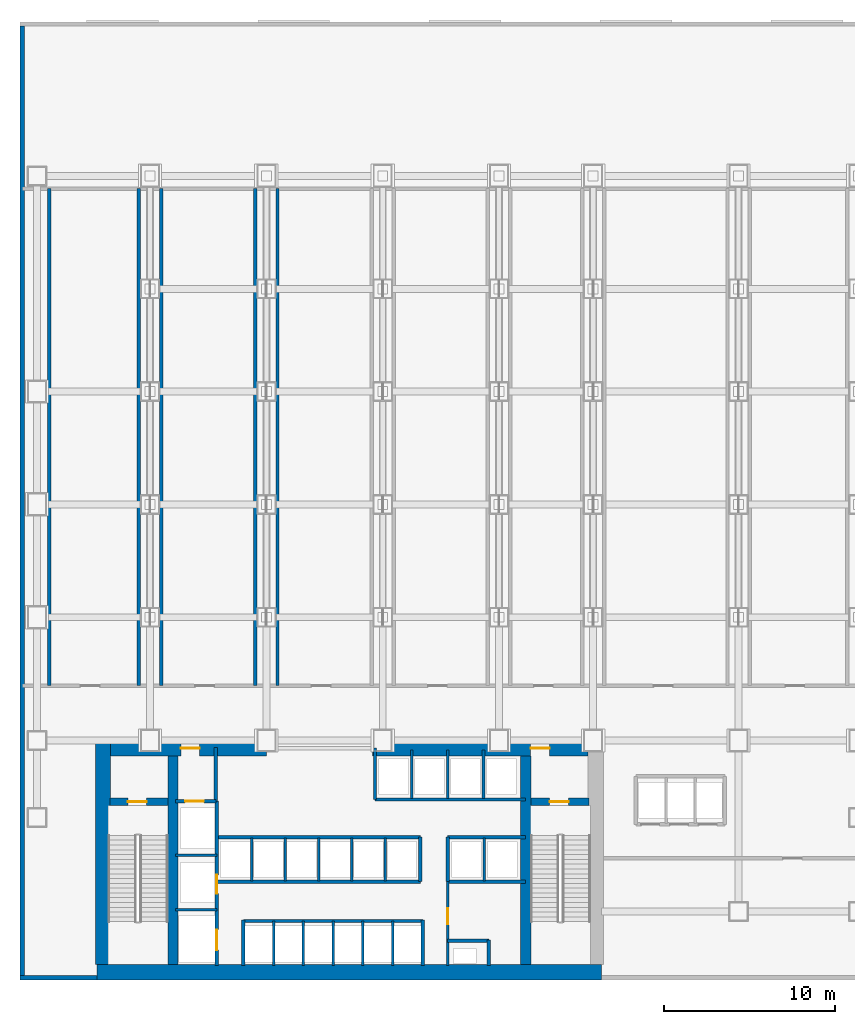
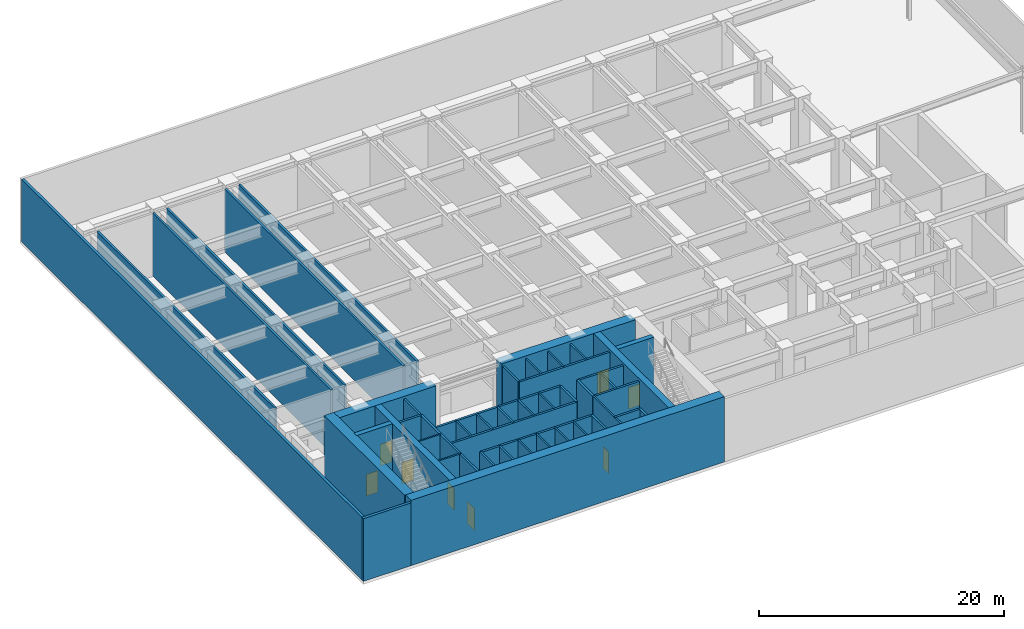
# One storey, part 9 of 15: 48 walls, 8 doors, 8 openings.
"""IFC4 building model written with IfcOpenShell, lengths in metres."""

from ifc_helpers import new_model, si_unit, derived_unit, direction, frame, frame_2d, origin, place, context, subcontext, project, spatial, rectangle, extrude, source, transform, mapped, material, layer, layer_set, type_object, element, fill, save


model = new_model("IFC4")

# Units and contexts
model_context = context("Model", 3, precision=1e-05, world=origin(), true_north=direction((0.0, 1.0)))
body_context = subcontext(model_context, "Body", "Model", "MODEL_VIEW")
ifc_project = project(units=[si_unit("LENGTHUNIT", "METRE"), si_unit("AREAUNIT", "SQUARE_METRE"), si_unit("VOLUMEUNIT", "CUBIC_METRE"), si_unit("PLANEANGLEUNIT", "RADIAN"), si_unit("MASSUNIT", "GRAM", prefix="KILO"), derived_unit("THERMALTRANSMITTANCEUNIT", [(si_unit("POWERUNIT", "WATT"), 1), (si_unit("LENGTHUNIT", "METRE"), -2), (si_unit("THERMODYNAMICTEMPERATUREUNIT", "KELVIN"), -1)])], contexts=[model_context])

# Site, building, storey
site_placement = place(None, origin())
site = spatial("IfcSite", under=ifc_project, at=site_placement, CompositionType="ELEMENT")
building_placement = place(site_placement, origin())
building = spatial("IfcBuilding", under=site, at=building_placement, Name="Skarnbrae Concourse Arena and Tower", CompositionType="ELEMENT")
storey_placement = place(building_placement, frame((0.0, 0.0, 26.0)))
storey = spatial("IfcBuildingStorey", under=building, at=storey_placement, Name="L05", CompositionType="ELEMENT", Elevation=26.0)

# Walls
ifc_material_1 = material(Name="Concrete 70 MPa (C70/85)", Category="concrete")
ifc_layer_1 = layer(ifc_material_1, 0.89990234375)
ifc_layer_set_1 = layer_set([ifc_layer_1], Name="Concrete 70 MPa (C70/85)")
wall_type_1 = type_object("IfcWallType", Name="WALL-CORE-900-C70", PredefinedType="SHEAR", material=ifc_layer_set_1)
shared_shape_1 = source(origin(), body_context, "Body", "SweptSolid", [
    extrude(rectangle(XDim=29.5, YDim=0.89990234375, at=frame_2d((14.75, 0.0))), origin(), (0.0, 0.0, 1.0), 6.5),
])
wall_1_placement = place(storey_placement, frame((4.5, 0.449951171875, 0.0), z_axis=(0.0, 0.0, 1.0), x_axis=(1.0, 0.0, 0.0)))
element("IfcWall", 1, at=wall_1_placement, inside=storey, type_object=wall_type_1, Name="L05 Rear core shear wall CW-S", PredefinedType="SHEAR", context=body_context, shape_type="MappedRepresentation", body=[
    mapped(shared_shape_1, transform((0.0, 0.0, 0.0))),
])
shared_shape_2 = source(origin(), body_context, "Body", "SweptSolid", [
    extrude(rectangle(XDim=13.10009765625, YDim=0.89990234375, at=frame_2d((6.550048828125, 0.0))), origin(), (0.0, 0.0, 1.0), 6.5),
])
wall_2_placement = place(storey_placement, frame((4.85009765625, 0.89990234375, 0.0), z_axis=(0.0, 0.0, 1.0), x_axis=(0.0, 1.0, 0.0)))
element("IfcWall", 2, at=wall_2_placement, inside=storey, type_object=wall_type_1, Name="L05 Rear core shear wall CW-W", PredefinedType="SHEAR", context=body_context, shape_type="MappedRepresentation", body=[
    mapped(shared_shape_2, transform((0.0, 0.0, 0.0))),
])

# Wall, opening, door
shared_shape_3 = source(origin(), body_context, "Body", "SweptSolid", [
    extrude(rectangle(XDim=9.099853515625, YDim=0.89990234375, at=frame_2d((4.5498046875, 0.0))), origin(), (0.0, 0.0, 1.0), 6.5),
])
wall_3_placement = place(storey_placement, frame((5.300048828125, 13.550048828125, 0.0), z_axis=(0.0, 0.0, 1.0), x_axis=(1.0, 0.0, 0.0)))
wall_3 = element("IfcWall", 3, at=wall_3_placement, inside=storey, type_object=wall_type_1, Name="L05 Rear core shear wall CW-NW", PredefinedType="SHEAR", context=body_context, shape_type="MappedRepresentation", body=[
    mapped(shared_shape_3, transform((0.0, 0.0, 0.0))),
])
opening_1_placement = place(wall_3_placement, frame((4.10009765625, 0.0, 0.0)))
opening_1 = element("IfcOpeningElement", 4, at=opening_1_placement, cuts=wall_3, Name="Opening DT-03", PredefinedType="OPENING", context=body_context, shape_type="SweptSolid", body=[
    extrude(rectangle(XDim=1.10009765625, YDim=2.14990234375, at=frame_2d((0.550048828125, 1.074951171875))), frame((0.0, 0.4599609375, 0.0), z_axis=(0.0, -1.0, 0.0), x_axis=(1.0, 0.0, 0.0)), (0.0, 0.0, 1.0), 0.919921875),
])
ifc_material_2 = material(Name="Steel CSA G40.21 350W", Category="steel")
door_type_1 = type_object("IfcDoorType", Name="DOOR-FIRE-1100-90M", OperationType="NOTDEFINED", PredefinedType="DOOR", material=ifc_material_2)
shared_shape_4 = source(origin(), body_context, "Body", "SweptSolid", [
    extrude(rectangle(XDim=1.10009765625, YDim=2.14990234375, at=frame_2d((0.550048828125, 1.074951171875))), frame((0.0, 0.02490234375, 0.0), z_axis=(0.0, -1.0, 0.0), x_axis=(1.0, 0.0, 0.0)), (0.0, 0.0, 1.0), 0.050048828125),
])
door_1_placement = place(opening_1_placement, origin())
door_1 = element("IfcDoor", 5, at=door_1_placement, inside=storey, type_object=door_type_1, Name="D-0308 Firefighting Lobby Exit Door", OperationType="SINGLE_SWING_RIGHT", OverallHeight=2.14990234375, OverallWidth=1.10009765625, PredefinedType="DOOR", context=body_context, shape_type="MappedRepresentation", body=[
    mapped(shared_shape_4, transform((0.0, 0.0, 0.0))),
])
fill(opening_1, door_1)

shared_shape_5 = source(origin(), body_context, "Body", "SweptSolid", [
    extrude(rectangle(XDim=12.599853515625, YDim=0.89990234375, at=frame_2d((6.2998046875, 0.0))), origin(), (0.0, 0.0, 1.0), 6.5),
])
wall_4_placement = place(storey_placement, frame((20.60009765625, 13.550048828125, 0.0), z_axis=(0.0, 0.0, 1.0), x_axis=(1.0, 0.0, 0.0)))
wall_4 = element("IfcWall", 6, at=wall_4_placement, inside=storey, type_object=wall_type_1, Name="L05 Rear core shear wall CW-NE", PredefinedType="SHEAR", context=body_context, shape_type="MappedRepresentation", body=[
    mapped(shared_shape_5, transform((0.0, 0.0, 0.0))),
])
opening_2_placement = place(wall_4_placement, frame((9.25, 0.0, 0.0)))
opening_2 = element("IfcOpeningElement", 7, at=opening_2_placement, cuts=wall_4, Name="Opening DT-03", PredefinedType="OPENING", context=body_context, shape_type="SweptSolid", body=[
    extrude(rectangle(XDim=1.10009765625, YDim=2.14990234375, at=frame_2d((0.550048828125, 1.074951171875))), frame((0.0, 0.4599609375, 0.0), z_axis=(0.0, -1.0, 0.0), x_axis=(1.0, 0.0, 0.0)), (0.0, 0.0, 1.0), 0.919921875),
])
door_2_placement = place(opening_2_placement, origin())
door_2 = element("IfcDoor", 8, at=door_2_placement, inside=storey, type_object=door_type_1, Name="D-0309 Stair ST-2 Vestibule Door", OperationType="SINGLE_SWING_LEFT", OverallHeight=2.14990234375, OverallWidth=1.10009765625, PredefinedType="DOOR", context=body_context, shape_type="MappedRepresentation", body=[
    mapped(shared_shape_4, transform((0.0, 0.0, 0.0))),
])
fill(opening_2, door_2)

# Walls
ifc_layer_2 = layer(ifc_material_1, 0.60009765625)
ifc_layer_set_2 = layer_set([ifc_layer_2], Name="Concrete 70 MPa (C70/85)")
wall_type_2 = type_object("IfcWallType", Name="WALL-CORE-600-C70", PredefinedType="SHEAR", material=ifc_layer_set_2)
shared_shape_6 = source(origin(), body_context, "Body", "SweptSolid", [
    extrude(rectangle(XDim=12.2001953125, YDim=0.60009765625, at=frame_2d((6.10009765625, 0.0))), origin(), (0.0, 0.0, 1.0), 6.5),
])
for number, where, z_axis, x_axis, name in (
    (9, (8.93994140625, 0.89990234375, 0.0), (0.0, 0.0, 1.0), (0.0, 1.0, 0.0), "L05 Rear core shear wall CW-WEB-W"),
    (10, (29.56005859375, 0.89990234375, 0.0), (0.0, 0.0, 1.0), (0.0, 1.0, 0.0), "L05 Rear core shear wall CW-WEB-E"),
):
    element("IfcWall", number, at=place(storey_placement, frame(where, z_axis=z_axis, x_axis=x_axis)), inside=storey, type_object=wall_type_2, Name=name, PredefinedType="SHEAR", context=body_context, shape_type="MappedRepresentation", body=[
        mapped(shared_shape_6, transform((0.0, 0.0, 0.0))),
    ])

# Wall, opening, door
ifc_material_3 = material(Name="Concrete 50 MPa (C50/60)", Category="concrete")
ifc_layer_3 = layer(ifc_material_3, 0.449951171875)
ifc_layer_set_3 = layer_set([ifc_layer_3], Name="Concrete 50 MPa (C50/60)")
wall_type_3 = type_object("IfcWallType", Name="WALL-CORE-450-C50", PredefinedType="SHEAR", material=ifc_layer_set_3)
shared_shape_7 = source(origin(), body_context, "Body", "SweptSolid", [
    extrude(rectangle(XDim=3.389892578125, YDim=0.449951171875, at=frame_2d((1.69482421875, 0.0))), origin(), (0.0, 0.0, 1.0), 6.5),
])
wall_5_placement = place(storey_placement, frame((5.25, 10.419921875, 0.0), z_axis=(0.0, 0.0, 1.0), x_axis=(1.0, 0.0, 0.0)))
wall_5 = element("IfcWall", 11, at=wall_5_placement, inside=storey, type_object=wall_type_3, Name="L05 Rear core shear wall CW-ST1-N", PredefinedType="SHEAR", context=body_context, shape_type="MappedRepresentation", body=[
    mapped(shared_shape_7, transform((0.0, 0.0, 0.0))),
])
opening_3_placement = place(wall_5_placement, frame((1.050048828125, 0.0, 0.0)))
opening_3 = element("IfcOpeningElement", 12, at=opening_3_placement, cuts=wall_5, Name="Opening DT-03", PredefinedType="OPENING", context=body_context, shape_type="SweptSolid", body=[
    extrude(rectangle(XDim=1.10009765625, YDim=2.14990234375, at=frame_2d((0.550048828125, 1.074951171875))), frame((0.0, 0.23486328125, 0.0), z_axis=(0.0, -1.0, 0.0), x_axis=(1.0, 0.0, 0.0)), (0.0, 0.0, 1.0), 0.469970703125),
])
door_3_placement = place(opening_3_placement, frame((1.10009765625, 0.0, 0.0), z_axis=(0.0, 0.0, 1.0), x_axis=(-1.0, 0.0, 0.0)))
door_3 = element("IfcDoor", 13, at=door_3_placement, inside=storey, type_object=door_type_1, Name="D-0306 Stair ST-1 Door", OperationType="SINGLE_SWING_LEFT", OverallHeight=2.14990234375, OverallWidth=1.10009765625, PredefinedType="DOOR", context=body_context, shape_type="MappedRepresentation", body=[
    mapped(shared_shape_4, transform((0.0, 0.0, 0.0))),
])
fill(opening_3, door_3)

wall_6_placement = place(storey_placement, frame((29.860107421875, 10.419921875, 0.0), z_axis=(0.0, 0.0, 1.0), x_axis=(1.0, 0.0, 0.0)))
wall_6 = element("IfcWall", 14, at=wall_6_placement, inside=storey, type_object=wall_type_3, Name="L05 Rear core shear wall CW-ST2-N", PredefinedType="SHEAR", context=body_context, shape_type="MappedRepresentation", body=[
    mapped(shared_shape_7, transform((0.0, 0.0, 0.0))),
])
opening_4_placement = place(wall_6_placement, frame((1.10009765625, 0.0, 0.0)))
opening_4 = element("IfcOpeningElement", 15, at=opening_4_placement, cuts=wall_6, Name="Opening DT-03", PredefinedType="OPENING", context=body_context, shape_type="SweptSolid", body=[
    extrude(rectangle(XDim=1.10009765625, YDim=2.14990234375, at=frame_2d((0.550048828125, 1.074951171875))), frame((0.0, 0.23486328125, 0.0), z_axis=(0.0, -1.0, 0.0), x_axis=(1.0, 0.0, 0.0)), (0.0, 0.0, 1.0), 0.469970703125),
])
door_4_placement = place(opening_4_placement, frame((1.10009765625, 0.0, 0.0), z_axis=(0.0, 0.0, 1.0), x_axis=(-1.0, 0.0, 0.0)))
door_4 = element("IfcDoor", 16, at=door_4_placement, inside=storey, type_object=door_type_1, Name="D-0307 Stair ST-2 Door", OperationType="SINGLE_SWING_RIGHT", OverallHeight=2.14990234375, OverallWidth=1.10009765625, PredefinedType="DOOR", context=body_context, shape_type="MappedRepresentation", body=[
    mapped(shared_shape_4, transform((0.0, 0.0, 0.0))),
])
fill(opening_4, door_4)

# Walls
ifc_material_4 = material(Name="Precast concrete 40 MPa (C40/50)", Category="concrete")
ifc_layer_4 = layer(ifc_material_4, 0.25)
ifc_layer_set_4 = layer_set([ifc_layer_4], Name="Precast concrete 40 MPa (C40/50)")
wall_type_4 = type_object("IfcWallType", Name="WALL-EXT-SPANDREL-250", PredefinedType="STANDARD", material=ifc_layer_set_4)
shared_shape_8 = source(origin(), body_context, "Body", "SweptSolid", [
    extrude(rectangle(XDim=4.5, YDim=0.25, at=frame_2d((2.25, 0.0))), origin(), (0.0, 0.0, 1.0), 6.25),
])
wall_7_placement = place(storey_placement, frame((0.0, 0.125, 0.0), z_axis=(0.0, 0.0, 1.0), x_axis=(1.0, 0.0, 0.0)))
element("IfcWall", 17, at=wall_7_placement, inside=storey, type_object=wall_type_4, Name="L05 Podium exterior precast wall SW", PredefinedType="STANDARD", context=body_context, shape_type="MappedRepresentation", body=[
    mapped(shared_shape_8, transform((0.0, 0.0, 0.0))),
])
shared_shape_9 = source(origin(), body_context, "Body", "SweptSolid", [
    extrude(rectangle(XDim=55.5, YDim=0.25, at=frame_2d((27.75, 0.0))), origin(), (0.0, 0.0, 1.0), 6.25),
])
wall_8_placement = place(storey_placement, frame((0.125, 55.75, 0.0), z_axis=(0.0, 0.0, 1.0), x_axis=(0.0, -1.0, 0.0)))
element("IfcWall", 18, at=wall_8_placement, inside=storey, type_object=wall_type_4, Name="L05 Podium exterior precast wall W", PredefinedType="STANDARD", context=body_context, shape_type="MappedRepresentation", body=[
    mapped(shared_shape_9, transform((0.0, 0.0, 0.0))),
])
ifc_material_5 = material(Name="Gypsum board on cold-formed steel studs", Category="steel")
ifc_layer_5 = layer(ifc_material_5, 0.199951171875)
ifc_layer_set_5 = layer_set([ifc_layer_5], Name="Gypsum board on cold-formed steel studs")
wall_type_5 = type_object("IfcWallType", Name="WALL-PART-200-2HR", PredefinedType="PARTITIONING", material=ifc_layer_set_5)
shared_shape_10 = source(origin(), body_context, "Body", "SweptSolid", [
    extrude(rectangle(XDim=3.18017578125, YDim=0.199951171875, at=frame_2d((1.590087890625, 0.0))), origin(), (0.0, 0.0, 1.0), 6.25),
])
wall_9_placement = place(storey_placement, frame((11.449951171875, 10.419921875, 0.0), z_axis=(0.0, 0.0, 1.0), x_axis=(0.0, 1.0, 0.0)))
element("IfcWall", 19, at=wall_9_placement, inside=storey, type_object=wall_type_5, Name="L05 Interior partition wall W-L05-FFL-E", PredefinedType="PARTITIONING", context=body_context, shape_type="MappedRepresentation", body=[
    mapped(shared_shape_10, transform((0.0, 0.0, 0.0))),
])

# Wall, opening, door
shared_shape_11 = source(origin(), body_context, "Body", "SweptSolid", [
    extrude(rectangle(XDim=2.349853515625, YDim=0.199951171875, at=frame_2d((1.1748046875, 0.0))), origin(), (0.0, 0.0, 1.0), 6.25),
])
wall_10_placement = place(storey_placement, frame((9.10009765625, 10.449951171875, 0.0), z_axis=(0.0, 0.0, 1.0), x_axis=(1.0, 0.0, 0.0)))
wall_10 = element("IfcWall", 20, at=wall_10_placement, inside=storey, type_object=wall_type_5, Name="L05 Interior partition wall W-L05-FL1-N", PredefinedType="PARTITIONING", context=body_context, shape_type="MappedRepresentation", body=[
    mapped(shared_shape_11, transform((0.0, 0.0, 0.0))),
])
opening_5_placement = place(wall_10_placement, frame((0.550048828125, 0.0, 0.0)))
opening_5 = element("IfcOpeningElement", 21, at=opening_5_placement, cuts=wall_10, Name="Opening LD-01", PredefinedType="OPENING", context=body_context, shape_type="SweptSolid", body=[
    extrude(rectangle(XDim=1.10009765625, YDim=2.14990234375, at=frame_2d((0.550048828125, 1.074951171875))), frame((0.0, 0.10986328125, 0.0), z_axis=(0.0, -1.0, 0.0), x_axis=(1.0, 0.0, 0.0)), (0.0, 0.0, 1.0), 0.219970703125),
])
door_type_2 = type_object("IfcDoorType", Name="DOOR-LIFT-SLIDE-1100", OperationType="SLIDING_TO_LEFT", PredefinedType="DOOR", material=ifc_material_2)
door_5_placement = place(opening_5_placement, origin())
door_5 = element("IfcDoor", 22, at=door_5_placement, inside=storey, type_object=door_type_2, Name="D-0310 Firefighting Lift Landing Door FL-01", OperationType="SLIDING_TO_LEFT", OverallHeight=2.14990234375, OverallWidth=1.10009765625, PredefinedType="DOOR", context=body_context, shape_type="MappedRepresentation", body=[
    mapped(shared_shape_4, transform((0.0, 0.0, 0.0))),
])
fill(opening_5, door_5)

# Wall, openings, doors
shared_shape_12 = source(origin(), body_context, "Body", "SweptSolid", [
    extrude(rectangle(XDim=9.599853515625, YDim=0.199951171875, at=frame_2d((4.7998046875, 0.0))), origin(), (0.0, 0.0, 1.0), 6.25),
])
wall_11_placement = place(storey_placement, frame((11.5, 0.85009765625, 0.0), z_axis=(0.0, 0.0, 1.0), x_axis=(0.0, 1.0, 0.0)))
wall_11 = element("IfcWall", 23, at=wall_11_placement, inside=storey, type_object=wall_type_5, Name="L05 Interior partition wall W-L05-FL-E", PredefinedType="PARTITIONING", context=body_context, shape_type="MappedRepresentation", body=[
    mapped(shared_shape_12, transform((0.0, 0.0, 0.0))),
])
opening_6_placement = place(wall_11_placement, frame((4.199951171875, 0.0, 0.0)))
opening_6 = element("IfcOpeningElement", 24, at=opening_6_placement, cuts=wall_11, Name="Opening LD-01", PredefinedType="OPENING", context=body_context, shape_type="SweptSolid", body=[
    extrude(rectangle(XDim=1.10009765625, YDim=2.14990234375, at=frame_2d((0.550048828125, 1.074951171875))), frame((0.0, 0.10986328125, 0.0), z_axis=(0.0, -1.0, 0.0), x_axis=(1.0, 0.0, 0.0)), (0.0, 0.0, 1.0), 0.219970703125),
])
opening_7_placement = place(wall_11_placement, frame((0.89990234375, 0.0, 0.0)))
opening_7 = element("IfcOpeningElement", 25, at=opening_7_placement, cuts=wall_11, Name="Opening LD-02", PredefinedType="OPENING", context=body_context, shape_type="SweptSolid", body=[
    extrude(rectangle(XDim=1.199951171875, YDim=2.14990234375, at=frame_2d((0.60009765625, 1.074951171875))), frame((0.0, 0.10986328125, 0.0), z_axis=(0.0, -1.0, 0.0), x_axis=(1.0, 0.0, 0.0)), (0.0, 0.0, 1.0), 0.219970703125),
])
door_6_placement = place(opening_6_placement, frame((1.10009765625, 0.0, 0.0), z_axis=(0.0, 0.0, 1.0), x_axis=(-1.0, 0.0, 0.0)))
door_6 = element("IfcDoor", 26, at=door_6_placement, inside=storey, type_object=door_type_2, Name="D-0311 Firefighting Lift Landing Door FL-02", OperationType="SLIDING_TO_LEFT", OverallHeight=2.14990234375, OverallWidth=1.10009765625, PredefinedType="DOOR", context=body_context, shape_type="MappedRepresentation", body=[
    mapped(shared_shape_4, transform((0.0, 0.0, 0.0))),
])
fill(opening_6, door_6)
door_type_3 = type_object("IfcDoorType", Name="DOOR-LIFT-SLIDE-1200", OperationType="SLIDING_TO_LEFT", PredefinedType="DOOR", material=ifc_material_2)
shared_shape_13 = source(origin(), body_context, "Body", "SweptSolid", [
    extrude(rectangle(XDim=1.199951171875, YDim=2.14990234375, at=frame_2d((0.60009765625, 1.074951171875))), frame((0.0, 0.02490234375, 0.0), z_axis=(0.0, -1.0, 0.0), x_axis=(1.0, 0.0, 0.0)), (0.0, 0.0, 1.0), 0.050048828125),
])
door_7_placement = place(opening_7_placement, frame((1.199951171875, 0.0, 0.0), z_axis=(0.0, 0.0, 1.0), x_axis=(-1.0, 0.0, 0.0)))
door_7 = element("IfcDoor", 27, at=door_7_placement, inside=storey, type_object=door_type_3, Name="D-0312 Service Lift Landing Door SV-01", OperationType="SLIDING_TO_LEFT", OverallHeight=2.14990234375, OverallWidth=1.199951171875, PredefinedType="DOOR", context=body_context, shape_type="MappedRepresentation", body=[
    mapped(shared_shape_13, transform((0.0, 0.0, 0.0))),
])
fill(opening_7, door_7)

# Walls
ifc_layer_6 = layer(ifc_material_5, 0.14990234375)
ifc_layer_set_6 = layer_set([ifc_layer_6], Name="Gypsum board on cold-formed steel studs")
wall_type_6 = type_object("IfcWallType", Name="WALL-PART-150", PredefinedType="PARTITIONING", material=ifc_layer_set_6)
shared_shape_14 = source(origin(), body_context, "Body", "SweptSolid", [
    extrude(rectangle(XDim=2.39990234375, YDim=0.14990234375, at=frame_2d((1.199951171875, 0.0))), origin(), (0.0, 0.0, 1.0), 6.25),
])
for number, where, z_axis, x_axis, name in (
    (28, (9.10009765625, 4.10009765625, 0.0), (0.0, 0.0, 1.0), (1.0, 0.0, 0.0), "L05 Interior partition wall W-L05-FL-D1"),
    (29, (9.10009765625, 7.300048828125, 0.0), (0.0, 0.0, 1.0), (1.0, 0.0, 0.0), "L05 Interior partition wall W-L05-FL-D2"),
):
    element("IfcWall", number, at=place(storey_placement, frame(where, z_axis=z_axis, x_axis=x_axis)), inside=storey, type_object=wall_type_6, Name=name, PredefinedType="PARTITIONING", context=body_context, shape_type="MappedRepresentation", body=[
        mapped(shared_shape_14, transform((0.0, 0.0, 0.0))),
    ])
shared_shape_15 = source(origin(), body_context, "Body", "SweptSolid", [
    extrude(rectangle(XDim=2.64990234375, YDim=0.199951171875, at=frame_2d((1.324951171875, 0.0))), origin(), (0.0, 0.0, 1.0), 6.25),
])
for number, where, z_axis, x_axis, name in (
    (30, (13.050048828125, 0.85009765625, 0.0), (0.0, 0.0, 1.0), (0.0, 1.0, 0.0), "L05 Interior partition wall W-L05-B1-W"),
    (31, (23.550048828125, 0.85009765625, 0.0), (0.0, 0.0, 1.0), (0.0, 1.0, 0.0), "L05 Interior partition wall W-L05-B1-E"),
):
    element("IfcWall", number, at=place(storey_placement, frame(where, z_axis=z_axis, x_axis=x_axis)), inside=storey, type_object=wall_type_5, Name=name, PredefinedType="PARTITIONING", context=body_context, shape_type="MappedRepresentation", body=[
        mapped(shared_shape_15, transform((0.0, 0.0, 0.0))),
    ])
shared_shape_16 = source(origin(), body_context, "Body", "SweptSolid", [
    extrude(rectangle(XDim=10.5, YDim=0.199951171875, at=frame_2d((5.25, 0.0))), origin(), (0.0, 0.0, 1.0), 6.25),
])
wall_12_placement = place(storey_placement, frame((13.050048828125, 3.449951171875, 0.0), z_axis=(0.0, 0.0, 1.0), x_axis=(1.0, 0.0, 0.0)))
element("IfcWall", 32, at=wall_12_placement, inside=storey, type_object=wall_type_5, Name="L05 Interior partition wall W-L05-B1-N", PredefinedType="PARTITIONING", context=body_context, shape_type="MappedRepresentation", body=[
    mapped(shared_shape_16, transform((0.0, 0.0, 0.0))),
])
shared_shape_17 = source(origin(), body_context, "Body", "SweptSolid", [
    extrude(rectangle(XDim=2.599853515625, YDim=0.14990234375, at=frame_2d((1.2998046875, 0.0))), origin(), (0.0, 0.0, 1.0), 6.25),
])
for number, where, z_axis, x_axis, name in (
    (33, (14.820068359375, 0.85009765625, 0.0), (0.0, 0.0, 1.0), (0.0, 1.0, 0.0), "L05 Interior partition wall W-L05-B1-P1"),
    (34, (16.56005859375, 0.85009765625, 0.0), (0.0, 0.0, 1.0), (0.0, 1.0, 0.0), "L05 Interior partition wall W-L05-B1-P2"),
    (35, (18.300048828125, 0.85009765625, 0.0), (0.0, 0.0, 1.0), (0.0, 1.0, 0.0), "L05 Interior partition wall W-L05-B1-P3"),
    (36, (20.0400390625, 0.85009765625, 0.0), (0.0, 0.0, 1.0), (0.0, 1.0, 0.0), "L05 Interior partition wall W-L05-B1-P4"),
    (37, (21.780029296875, 0.85009765625, 0.0), (0.0, 0.0, 1.0), (0.0, 1.0, 0.0), "L05 Interior partition wall W-L05-B1-P5"),
):
    element("IfcWall", number, at=place(storey_placement, frame(where, z_axis=z_axis, x_axis=x_axis)), inside=storey, type_object=wall_type_6, Name=name, PredefinedType="PARTITIONING", context=body_context, shape_type="MappedRepresentation", body=[
        mapped(shared_shape_17, transform((0.0, 0.0, 0.0))),
    ])
shared_shape_18 = source(origin(), body_context, "Body", "SweptSolid", [
    extrude(rectangle(XDim=11.849853515625, YDim=0.199951171875, at=frame_2d((5.9248046875, 0.0))), origin(), (0.0, 0.0, 1.0), 6.25),
])
for number, where, z_axis, x_axis, name in (
    (38, (11.550048828125, 5.75, 0.0), (0.0, 0.0, 1.0), (1.0, 0.0, 0.0), "L05 Interior partition wall W-L05-B2-S"),
    (39, (11.550048828125, 8.35009765625, 0.0), (0.0, 0.0, 1.0), (1.0, 0.0, 0.0), "L05 Interior partition wall W-L05-B2-N"),
):
    element("IfcWall", number, at=place(storey_placement, frame(where, z_axis=z_axis, x_axis=x_axis)), inside=storey, type_object=wall_type_5, Name=name, PredefinedType="PARTITIONING", context=body_context, shape_type="MappedRepresentation", body=[
        mapped(shared_shape_18, transform((0.0, 0.0, 0.0))),
    ])
shared_shape_19 = source(origin(), body_context, "Body", "SweptSolid", [
    extrude(rectangle(XDim=2.60009765625, YDim=0.199951171875, at=frame_2d((1.300048828125, 0.0))), origin(), (0.0, 0.0, 1.0), 6.25),
])
for number, where, z_axis, x_axis, name in (
    (40, (23.39990234375, 5.75, 0.0), (0.0, 0.0, 1.0), (0.0, 1.0, 0.0), "L05 Interior partition wall W-L05-B2-E"),
    (41, (25.0, 5.75, 0.0), (0.0, 0.0, 1.0), (0.0, 1.0, 0.0), "L05 Interior partition wall W-L05-B3S-W"),
):
    element("IfcWall", number, at=place(storey_placement, frame(where, z_axis=z_axis, x_axis=x_axis)), inside=storey, type_object=wall_type_5, Name=name, PredefinedType="PARTITIONING", context=body_context, shape_type="MappedRepresentation", body=[
        mapped(shared_shape_19, transform((0.0, 0.0, 0.0))),
    ])
shared_shape_20 = source(origin(), body_context, "Body", "SweptSolid", [
    extrude(rectangle(XDim=2.5, YDim=0.14990234375, at=frame_2d((1.25, 0.0))), origin(), (0.0, 0.0, 1.0), 6.25),
])
for number, where, z_axis, x_axis, name in (
    (42, (13.550048828125, 5.800048828125, 0.0), (0.0, 0.0, 1.0), (0.0, 1.0, 0.0), "L05 Interior partition wall W-L05-B2-P1"),
    (43, (15.5, 5.800048828125, 0.0), (0.0, 0.0, 1.0), (0.0, 1.0, 0.0), "L05 Interior partition wall W-L05-B2-P2"),
    (44, (17.449951171875, 5.800048828125, 0.0), (0.0, 0.0, 1.0), (0.0, 1.0, 0.0), "L05 Interior partition wall W-L05-B2-P3"),
    (45, (19.39990234375, 5.800048828125, 0.0), (0.0, 0.0, 1.0), (0.0, 1.0, 0.0), "L05 Interior partition wall W-L05-B2-P4"),
    (46, (21.35009765625, 5.800048828125, 0.0), (0.0, 0.0, 1.0), (0.0, 1.0, 0.0), "L05 Interior partition wall W-L05-B2-P5"),
    (47, (27.139892578125, 5.800048828125, 0.0), (0.0, 0.0, 1.0), (0.0, 1.0, 0.0), "L05 Interior partition wall W-L05-B3S-P1"),
):
    element("IfcWall", number, at=place(storey_placement, frame(where, z_axis=z_axis, x_axis=x_axis)), inside=storey, type_object=wall_type_6, Name=name, PredefinedType="PARTITIONING", context=body_context, shape_type="MappedRepresentation", body=[
        mapped(shared_shape_20, transform((0.0, 0.0, 0.0))),
    ])
shared_shape_21 = source(origin(), body_context, "Body", "SweptSolid", [
    extrude(rectangle(XDim=8.800048828125, YDim=0.199951171875, at=frame_2d((4.39990234375, 0.0))), origin(), (0.0, 0.0, 1.0), 6.25),
])
wall_13_placement = place(storey_placement, frame((20.75, 10.550048828125, 0.0), z_axis=(0.0, 0.0, 1.0), x_axis=(1.0, 0.0, 0.0)))
element("IfcWall", 48, at=wall_13_placement, inside=storey, type_object=wall_type_5, Name="L05 Interior partition wall W-L05-B3N-S", PredefinedType="PARTITIONING", context=body_context, shape_type="MappedRepresentation", body=[
    mapped(shared_shape_21, transform((0.0, 0.0, 0.0))),
])
shared_shape_22 = source(origin(), body_context, "Body", "SweptSolid", [
    extrude(rectangle(XDim=3.0, YDim=0.199951171875, at=frame_2d((1.5, 0.0))), origin(), (0.0, 0.0, 1.0), 6.25),
])
wall_14_placement = place(storey_placement, frame((20.75, 10.550048828125, 0.0), z_axis=(0.0, 0.0, 1.0), x_axis=(0.0, 1.0, 0.0)))
element("IfcWall", 49, at=wall_14_placement, inside=storey, type_object=wall_type_5, Name="L05 Interior partition wall W-L05-B3N-W", PredefinedType="PARTITIONING", context=body_context, shape_type="MappedRepresentation", body=[
    mapped(shared_shape_22, transform((0.0, 0.0, 0.0))),
])
shared_shape_23 = source(origin(), body_context, "Body", "SweptSolid", [
    extrude(rectangle(XDim=2.849853515625, YDim=0.14990234375, at=frame_2d((1.4248046875, 0.0))), origin(), (0.0, 0.0, 1.0), 6.25),
])
for number, where, z_axis, x_axis, name in (
    (50, (22.889892578125, 10.60009765625, 0.0), (0.0, 0.0, 1.0), (0.0, 1.0, 0.0), "L05 Interior partition wall W-L05-B3N-P1"),
    (51, (24.989990234375, 10.60009765625, 0.0), (0.0, 0.0, 1.0), (0.0, 1.0, 0.0), "L05 Interior partition wall W-L05-B3N-P2"),
    (52, (27.090087890625, 10.60009765625, 0.0), (0.0, 0.0, 1.0), (0.0, 1.0, 0.0), "L05 Interior partition wall W-L05-B3N-P3"),
):
    element("IfcWall", number, at=place(storey_placement, frame(where, z_axis=z_axis, x_axis=x_axis)), inside=storey, type_object=wall_type_6, Name=name, PredefinedType="PARTITIONING", context=body_context, shape_type="MappedRepresentation", body=[
        mapped(shared_shape_23, transform((0.0, 0.0, 0.0))),
    ])
shared_shape_24 = source(origin(), body_context, "Body", "SweptSolid", [
    extrude(rectangle(XDim=4.550048828125, YDim=0.199951171875, at=frame_2d((2.27490234375, 0.0))), origin(), (0.0, 0.0, 1.0), 6.25),
])
for number, where, z_axis, x_axis, name in (
    (53, (25.0, 8.35009765625, 0.0), (0.0, 0.0, 1.0), (1.0, 0.0, 0.0), "L05 Interior partition wall W-L05-B3S-N"),
    (54, (25.0, 5.75, 0.0), (0.0, 0.0, 1.0), (1.0, 0.0, 0.0), "L05 Interior partition wall W-L05-B3S-S"),
):
    element("IfcWall", number, at=place(storey_placement, frame(where, z_axis=z_axis, x_axis=x_axis)), inside=storey, type_object=wall_type_5, Name=name, PredefinedType="PARTITIONING", context=body_context, shape_type="MappedRepresentation", body=[
        mapped(shared_shape_24, transform((0.0, 0.0, 0.0))),
    ])

# Wall, opening, door
ifc_layer_7 = layer(ifc_material_5, 0.14990234375)
ifc_layer_set_7 = layer_set([ifc_layer_7], Name="Gypsum board on cold-formed steel studs")
wall_type_7 = type_object("IfcWallType", Name="WALL-PART-150-1HR", PredefinedType="PARTITIONING", material=ifc_layer_set_7)
shared_shape_25 = source(origin(), body_context, "Body", "SweptSolid", [
    extrude(rectangle(XDim=4.89990234375, YDim=0.14990234375, at=frame_2d((2.449951171875, 0.0))), origin(), (0.0, 0.0, 1.0), 6.25),
])
wall_15_placement = place(storey_placement, frame((25.0, 0.85009765625, 0.0), z_axis=(0.0, 0.0, 1.0), x_axis=(0.0, 1.0, 0.0)))
wall_15 = element("IfcWall", 55, at=wall_15_placement, inside=storey, type_object=wall_type_7, Name="L05 Interior partition wall W-L05-CSV-W", PredefinedType="PARTITIONING", context=body_context, shape_type="MappedRepresentation", body=[
    mapped(shared_shape_25, transform((0.0, 0.0, 0.0))),
])
opening_8_placement = place(wall_15_placement, frame((2.39990234375, 0.0, 0.0)))
opening_8 = element("IfcOpeningElement", 56, at=opening_8_placement, cuts=wall_15, Name="Opening DT-04", PredefinedType="OPENING", context=body_context, shape_type="SweptSolid", body=[
    extrude(rectangle(XDim=0.949951171875, YDim=2.14990234375, at=frame_2d((0.47509765625, 1.074951171875))), frame((0.0, 0.0849609375, 0.0), z_axis=(0.0, -1.0, 0.0), x_axis=(1.0, 0.0, 0.0)), (0.0, 0.0, 1.0), 0.169921875),
])
door_type_4 = type_object("IfcDoorType", Name="DOOR-INT-950-45M", OperationType="NOTDEFINED", PredefinedType="DOOR", material=ifc_material_2)
shared_shape_26 = source(origin(), body_context, "Body", "SweptSolid", [
    extrude(rectangle(XDim=0.949951171875, YDim=2.14990234375, at=frame_2d((0.47509765625, 1.074951171875))), frame((0.0, 0.02490234375, 0.0), z_axis=(0.0, -1.0, 0.0), x_axis=(1.0, 0.0, 0.0)), (0.0, 0.0, 1.0), 0.050048828125),
])
door_8_placement = place(opening_8_placement, origin())
door_8 = element("IfcDoor", 57, at=door_8_placement, inside=storey, type_object=door_type_4, Name="D-0313 Core Riser Plant Door", OperationType="SINGLE_SWING_LEFT", OverallHeight=2.14990234375, OverallWidth=0.949951171875, PredefinedType="DOOR", context=body_context, shape_type="MappedRepresentation", body=[
    mapped(shared_shape_26, transform((0.0, 0.0, 0.0))),
])
fill(opening_8, door_8)

# Walls
shared_shape_27 = source(origin(), body_context, "Body", "SweptSolid", [
    extrude(rectangle(XDim=2.39990234375, YDim=0.199951171875, at=frame_2d((1.199951171875, 0.0))), origin(), (0.0, 0.0, 1.0), 6.25),
])
wall_16_placement = place(storey_placement, frame((25.0, 2.300048828125, 0.0), z_axis=(0.0, 0.0, 1.0), x_axis=(1.0, 0.0, 0.0)))
element("IfcWall", 58, at=wall_16_placement, inside=storey, type_object=wall_type_5, Name="L05 Interior partition wall W-L05-MEP-N", PredefinedType="PARTITIONING", context=body_context, shape_type="MappedRepresentation", body=[
    mapped(shared_shape_27, transform((0.0, 0.0, 0.0))),
])
shared_shape_28 = source(origin(), body_context, "Body", "SweptSolid", [
    extrude(rectangle(XDim=1.5, YDim=0.199951171875, at=frame_2d((0.75, 0.0))), origin(), (0.0, 0.0, 1.0), 6.25),
])
wall_17_placement = place(storey_placement, frame((27.39990234375, 0.85009765625, 0.0), z_axis=(0.0, 0.0, 1.0), x_axis=(0.0, 1.0, 0.0)))
element("IfcWall", 59, at=wall_17_placement, inside=storey, type_object=wall_type_5, Name="L05 Interior partition wall W-L05-MEP-E", PredefinedType="PARTITIONING", context=body_context, shape_type="MappedRepresentation", body=[
    mapped(shared_shape_28, transform((0.0, 0.0, 0.0))),
])
shared_shape_29 = source(origin(), body_context, "Body", "SweptSolid", [
    extrude(rectangle(XDim=29.050048828125, YDim=0.199951171875, at=frame_2d((14.52490234375, 0.0))), origin(), (0.0, 0.0, 1.0), 6.25),
])
for number, where, z_axis, x_axis, name in (
    (60, (1.699951171875, 17.199951171875, 0.0), (0.0, 0.0, 1.0), (0.0, 1.0, 0.0), "L05 Interior partition wall W-L05-TW-17"),
    (61, (6.949951171875, 17.199951171875, 0.0), (0.0, 0.0, 1.0), (0.0, 1.0, 0.0), "L05 Interior partition wall W-L05-TW-70"),
    (62, (8.25, 17.199951171875, 0.0), (0.0, 0.0, 1.0), (0.0, 1.0, 0.0), "L05 Interior partition wall W-L05-TW-82"),
    (63, (13.75, 17.199951171875, 0.0), (0.0, 0.0, 1.0), (0.0, 1.0, 0.0), "L05 Interior partition wall W-L05-TW-138"),
    (64, (15.050048828125, 17.199951171875, 0.0), (0.0, 0.0, 1.0), (0.0, 1.0, 0.0), "L05 Interior partition wall W-L05-TW-150"),
):
    element("IfcWall", number, at=place(storey_placement, frame(where, z_axis=z_axis, x_axis=x_axis)), inside=storey, type_object=wall_type_5, Name=name, PredefinedType="PARTITIONING", context=body_context, shape_type="MappedRepresentation", body=[
        mapped(shared_shape_29, transform((0.0, 0.0, 0.0))),
    ])

save(model, "model.ifc")
